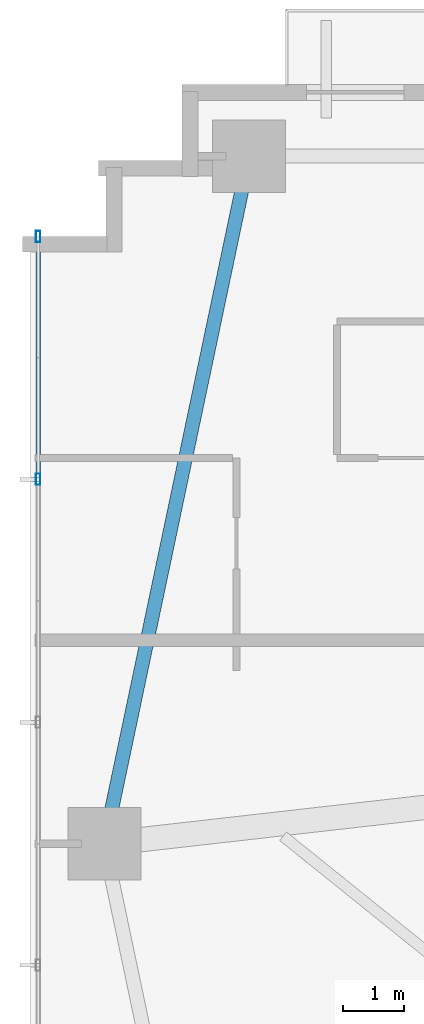
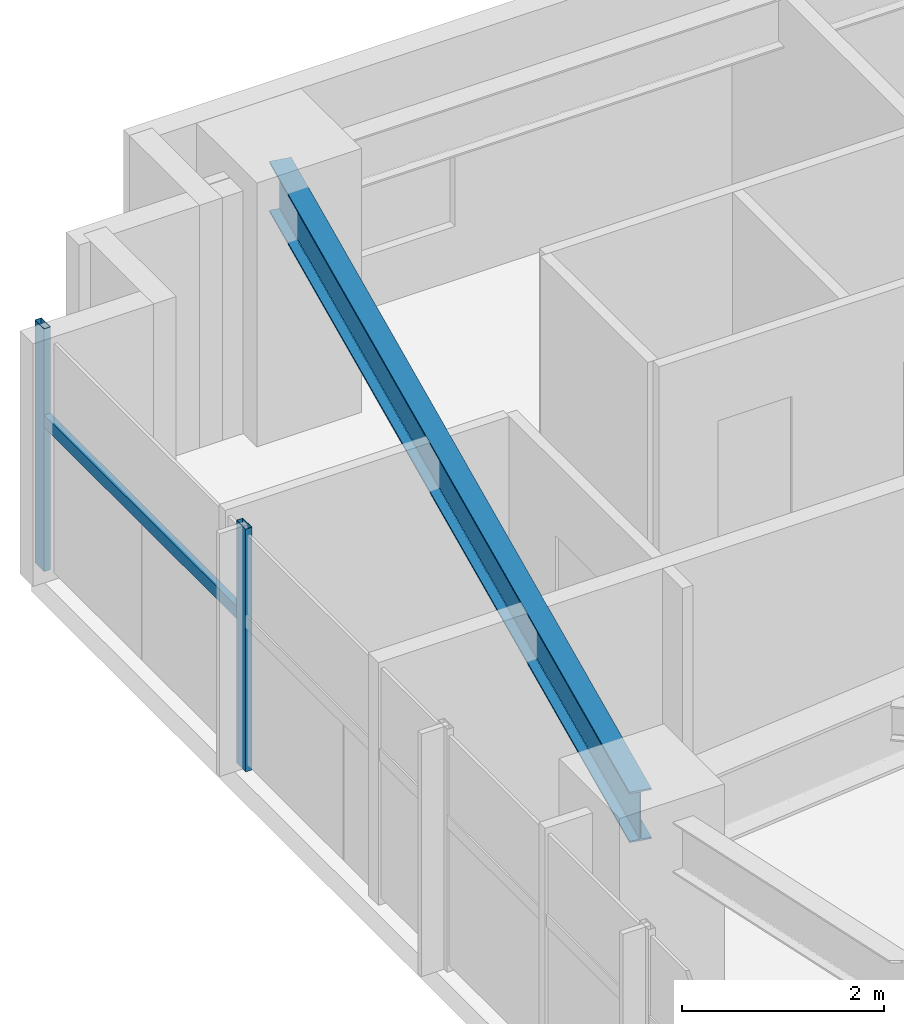
# One storey, part 8 of 25: 3 members, 1 beam, 1 element without a shape of its own.
"""IFC4 building model written with IfcOpenShell, lengths in metres."""

from ifc_helpers import new_model, si_unit, direction, frame, origin, origin_2d, place, context, subcontext, project, spatial, hollow_rectangle, i_section, extrude, source, transform, mapped, material, material_profile, profile_set, type_object, type_shapes, element, aggregate, save


model = new_model("IFC4")

# Units and contexts
model_context = context("Model", 3, precision=1e-05, world=origin(), true_north=direction((0.0, 1.0)))
body_context = subcontext(model_context, "Body", "Model", "MODEL_VIEW")
ifc_project = project(units=[si_unit("LENGTHUNIT", "METRE"), si_unit("AREAUNIT", "SQUARE_METRE"), si_unit("VOLUMEUNIT", "CUBIC_METRE"), si_unit("PLANEANGLEUNIT", "RADIAN"), si_unit("MASSUNIT", "GRAM", prefix="KILO")], contexts=[model_context])

# Site, building, storey
site_placement = place(None, origin())
site = spatial("IfcSite", under=ifc_project, at=site_placement, CompositionType="ELEMENT")
building_placement = place(site_placement, origin())
building = spatial("IfcBuilding", under=site, at=building_placement, Name="Astriad Promenade Condominiums", CompositionType="ELEMENT")
storey_placement = place(building_placement, frame((0.0, 0.0, 61.39990234375)))
storey = spatial("IfcBuildingStorey", under=building, at=storey_placement, Name="L17", CompositionType="ELEMENT", Elevation=61.39990234375)

# Beam
ifc_material_1 = material(Name="Steel ASTM A992 Grade 50", Category="steel")
ifc_material_profile_1 = material_profile(ifc_material_1, i_section(OverallWidth=0.22900390625, OverallDepth=0.612060546875, WebThickness=0.011962890625, FlangeThickness=0.01953125, FilletRadius=0.017822265625, at=origin_2d()), Name="W24X84")
ifc_profile_set_1 = profile_set([ifc_material_profile_1], Name="Steel ASTM A992 Grade 50")
beam_type = type_object("IfcBeamType", Name="STEEL SPANDREL BEAM W24X84", PredefinedType="SPANDREL", material=ifc_profile_set_1)
shared_shape_1 = source(origin(), body_context, "Body", "SweptSolid", [
    extrude(i_section(OverallWidth=0.22900390625, OverallDepth=0.612060546875, WebThickness=0.011962890625, FlangeThickness=0.01953125, FilletRadius=0.017822265625, at=origin_2d()), origin(), (0.0, 0.0, 1.0), 11.48779296875),
])
type_shapes(beam_type, [shared_shape_1])
beam_placement = place(storey_placement, frame((9.391845703125, 26.48095703125, 2.634033203125), z_axis=(-0.205743776427, -0.978605895374, 0.0), x_axis=(0.978605895374, -0.205743776427, 0.0)))
element("IfcBeam", 1, at=beam_placement, inside=storey, type_object=beam_type, Name="Perimeter Spandrel Beam SP-W2-L17", PredefinedType="SPANDREL", context=body_context, shape_type="MappedRepresentation", body=[
    mapped(shared_shape_1, transform((0.0, 0.0, 0.0), scale=1.0)),
])

# Curtain wall, members
ifc_material_2 = material(Name="Anodised aluminium Black Dark Glass Unitised", Category="aluminium")
curtain_wall_type = type_object("IfcCurtainWallType", Name="CW-B1-DARK", PredefinedType="USERDEFINED", material=ifc_material_2)
curtain_wall_placement = place(storey_placement, origin())
curtain_wall = element("IfcCurtainWall", 2, at=curtain_wall_placement, inside=storey, type_object=curtain_wall_type, Name="CW-L17-W", ObjectType="UNITISED_CURTAIN_WALL", PredefinedType="USERDEFINED")
ifc_material_3 = material(Name="Anodised aluminium 6063-T6 Black", Category="aluminium")
ifc_material_profile_2 = material_profile(ifc_material_3, hollow_rectangle(XDim=0.074951171875, YDim=0.14990234375, WallThickness=0.004150390625, at=origin_2d()), Name="ALU-TRN-75X150")
ifc_profile_set_2 = profile_set([ifc_material_profile_2], Name="Anodised aluminium 6063-T6 Black")
member_type_1 = type_object("IfcMemberType", Name="TRN-ALU-TRN-75X150", PredefinedType="USERDEFINED", material=ifc_profile_set_2)
shared_shape_2 = source(origin(), body_context, "Body", "SweptSolid", [
    extrude(hollow_rectangle(XDim=0.074951171875, YDim=0.14990234375, WallThickness=0.004150390625, at=origin_2d()), origin(), (0.0, 0.0, 1.0), 4.0),
])
type_shapes(member_type_1, [shared_shape_2])
member_1_placement = place(storey_placement, frame((5.929931640625, 21.199951171875, 1.822998046875), z_axis=(0.0, 1.0, 0.0), x_axis=(-1.0, 0.0, 0.0)))
member_1 = element("IfcMember", 3, at=member_1_placement, type_object=member_type_1, Name="CW-L17-W-TRN-04-0", ObjectType="TRANSOM", PredefinedType="USERDEFINED", context=body_context, shape_type="MappedRepresentation", body=[
    mapped(shared_shape_2, transform((0.0, 0.0, 0.0), scale=1.0)),
])
ifc_material_profile_3 = material_profile(ifc_material_3, hollow_rectangle(XDim=0.074951171875, YDim=0.18505859375, WallThickness=0.00439453125, at=origin_2d()), Name="ALU-MUL-75X185")
ifc_profile_set_3 = profile_set([ifc_material_profile_3], Name="Anodised aluminium 6063-T6 Black")
member_type_2 = type_object("IfcMemberType", Name="MUL-ALU-MUL-75X185", PredefinedType="MULLION", material=ifc_profile_set_3)
shared_shape_3 = source(origin(), body_context, "Body", "SweptSolid", [
    extrude(hollow_rectangle(XDim=0.074951171875, YDim=0.18505859375, WallThickness=0.00439453125, at=origin_2d()), origin(), (0.0, 0.0, 1.0), 2.940185546875),
])
type_shapes(member_type_2, [shared_shape_3])
member_2_placement = place(storey_placement, frame((5.929931640625, 21.199951171875, 0.0), z_axis=(0.0, 0.0, 1.0), x_axis=(1.0, 0.0, 0.0)))
member_2 = element("IfcMember", 4, at=member_2_placement, type_object=member_type_2, Name="CW-L17-W-MUL-04", PredefinedType="MULLION", context=body_context, shape_type="MappedRepresentation", body=[
    mapped(shared_shape_3, transform((0.0, 0.0, 0.0), scale=1.0)),
])
member_3_placement = place(storey_placement, frame((5.929931640625, 25.199951171875, 0.0), z_axis=(0.0, 0.0, 1.0), x_axis=(1.0, 0.0, 0.0)))
member_3 = element("IfcMember", 5, at=member_3_placement, type_object=member_type_2, Name="CW-L17-W-MUL-05", PredefinedType="MULLION", context=body_context, shape_type="MappedRepresentation", body=[
    mapped(shared_shape_3, transform((0.0, 0.0, 0.0), scale=1.0)),
])
aggregate(curtain_wall, [member_2, member_3, member_1])

save(model, "model.ifc")
